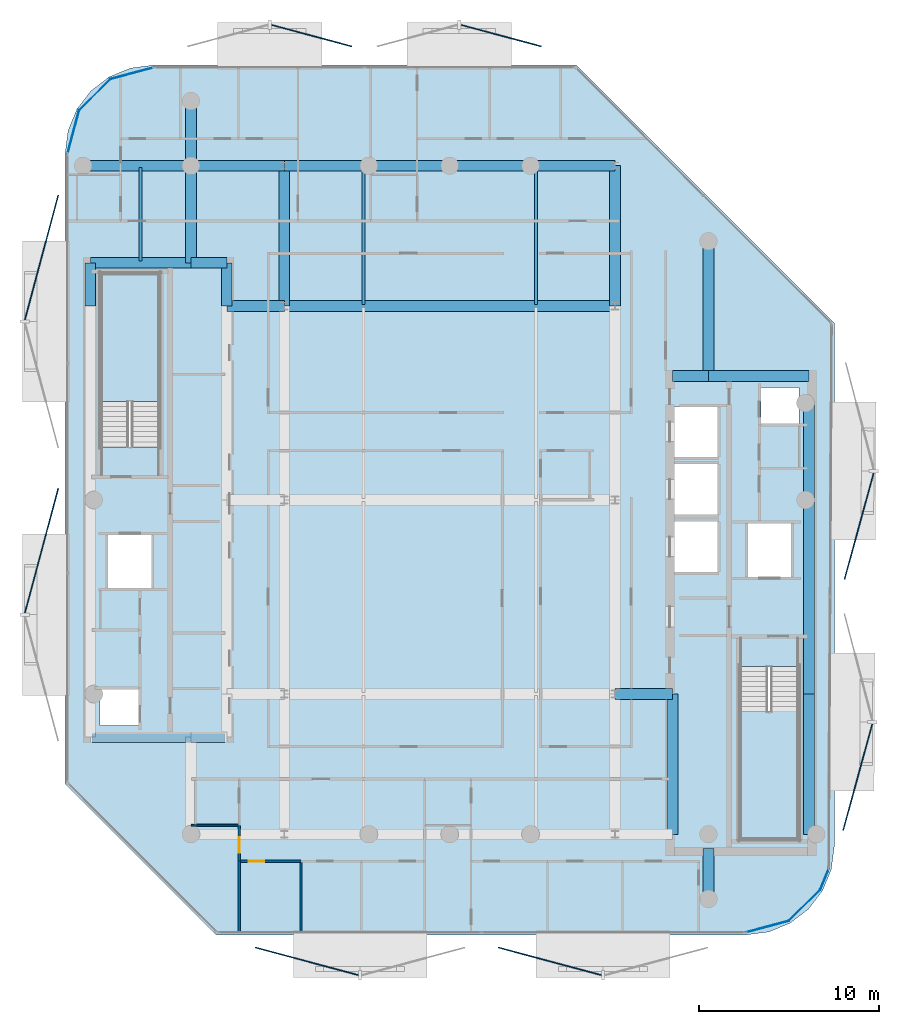
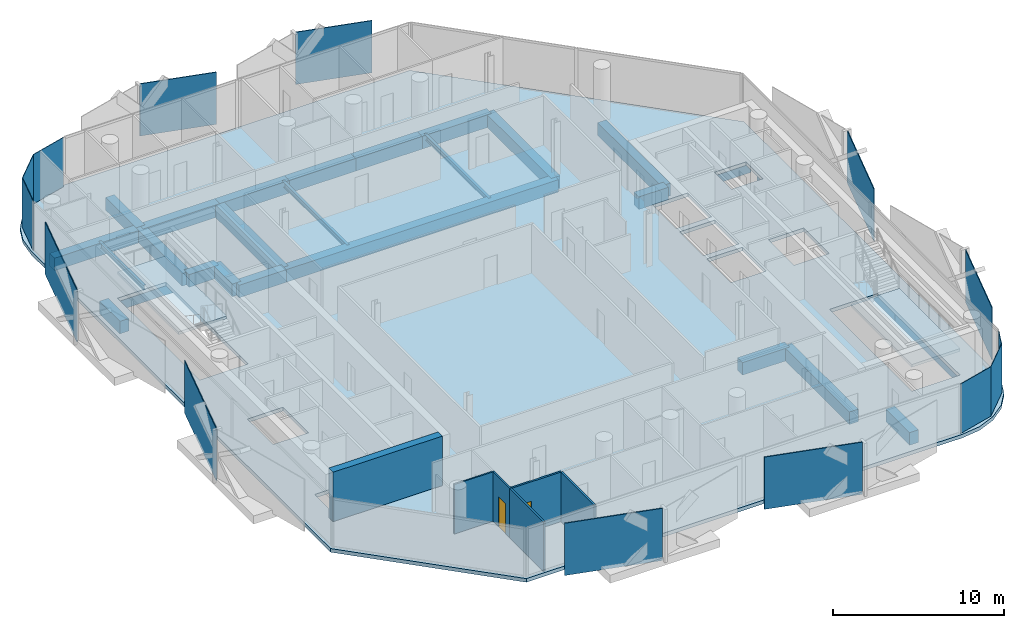
# One storey, part 3 of 17: 28 beams, 14 plates, 6 walls, 3 slabs, 2 doors, 2 openings, 2 elements without a shape of their own.
"""IFC4 building model written with IfcOpenShell, lengths in metres."""

from ifc_helpers import new_model, si_unit, direction, frame, frame_2d, origin, origin_2d, place, context, subcontext, project, spatial, polyline, rectangle, i_section, outline, extrude, material, layer, layer_set, material_profile, profile_set, type_object, element, fill, aggregate, save


model = new_model("IFC4")

# Units and contexts
model_context = context("Model", 3, precision=1e-05, world=origin(), true_north=direction((0.0, 1.0)))
body_context = subcontext(model_context, "Body", "Model", "MODEL_VIEW")
ifc_project = project(units=[si_unit("LENGTHUNIT", "METRE"), si_unit("AREAUNIT", "SQUARE_METRE"), si_unit("VOLUMEUNIT", "CUBIC_METRE"), si_unit("PLANEANGLEUNIT", "RADIAN"), si_unit("MASSUNIT", "GRAM", prefix="KILO")], contexts=[model_context])

# Site, building, storey
site_placement = place(None, origin())
site = spatial("IfcSite", under=ifc_project, at=site_placement, CompositionType="ELEMENT")
building_placement = place(site_placement, origin())
building = spatial("IfcBuilding", under=site, at=building_placement, Name="Khairoan Windgate Tower", CompositionType="ELEMENT")
storey_placement = place(building_placement, frame((0.0, 0.0, 304.199951171875)))
storey = spatial("IfcBuildingStorey", under=building, at=storey_placement, Name="L73", CompositionType="ELEMENT", Elevation=304.199951171875)

# Beams
ifc_material_1 = material(Name="Concrete C50/60", Category="concrete")
ifc_material_profile_1 = material_profile(ifc_material_1, rectangle(XDim=0.60009765625, YDim=0.89990234375, at=origin_2d()))
ifc_profile_set_1 = profile_set([ifc_material_profile_1], Name="Concrete C50/60")
beam_type_1 = type_object("IfcBeamType", Name="Beam B-RC1 RC600x900", PredefinedType="BEAM", material=ifc_profile_set_1)
beam_1_placement = place(storey_placement, frame((9.199951171875, -10.800048828125, -0.7099609375), z_axis=(1.0, 0.0, 0.0), x_axis=(0.0, 1.0, 0.0)))
element("IfcBeam", 1, at=beam_1_placement, inside=storey, type_object=beam_type_1, Name="L73 E-W Primary Girder 11", PredefinedType="BEAM", context=body_context, shape_type="SweptSolid", body=[
    extrude(rectangle(XDim=0.60009765625, YDim=0.89990234375, at=origin_2d()), origin(), (0.0, 0.0, 1.0), 3.199951171875),
])
beam_2_placement = place(storey_placement, frame((12.39990234375, 6.89990234375, -0.7099609375), z_axis=(1.0, 0.0, 0.0), x_axis=(0.0, 1.0, 0.0)))
element("IfcBeam", 2, at=beam_2_placement, inside=storey, type_object=beam_type_1, Name="L73 E-W Primary Girder 14", PredefinedType="BEAM", context=body_context, shape_type="SweptSolid", body=[
    extrude(rectangle(XDim=0.60009765625, YDim=0.89990234375, at=origin_2d()), origin(), (0.0, 0.0, 1.0), 2.0),
])
beam_3_placement = place(storey_placement, frame((14.39990234375, 6.89990234375, -0.7099609375), z_axis=(1.0, 0.0, 0.0), x_axis=(0.0, 1.0, 0.0)))
element("IfcBeam", 3, at=beam_3_placement, inside=storey, type_object=beam_type_1, Name="L73 E-W Primary Girder 15", PredefinedType="BEAM", context=body_context, shape_type="SweptSolid", body=[
    extrude(rectangle(XDim=0.60009765625, YDim=0.89990234375, at=origin_2d()), origin(), (0.0, 0.0, 1.0), 5.60009765625),
])
beam_4_placement = place(storey_placement, frame((-12.39990234375, 10.800048828125, -0.7099609375), z_axis=(1.0, 0.0, 0.0), x_axis=(0.0, 1.0, 0.0)))
element("IfcBeam", 4, at=beam_4_placement, inside=storey, type_object=beam_type_1, Name="L73 E-W Primary Girder 16", PredefinedType="BEAM", context=body_context, shape_type="SweptSolid", body=[
    extrude(rectangle(XDim=0.60009765625, YDim=0.89990234375, at=origin_2d()), origin(), (0.0, 0.0, 1.0), 3.199951171875),
])
beam_5_placement = place(storey_placement, frame((-9.199951171875, 10.800048828125, -0.7099609375), z_axis=(1.0, 0.0, 0.0), x_axis=(0.0, 1.0, 0.0)))
element("IfcBeam", 5, at=beam_5_placement, inside=storey, type_object=beam_type_1, Name="L73 E-W Primary Girder 17", PredefinedType="BEAM", context=body_context, shape_type="SweptSolid", body=[
    extrude(rectangle(XDim=0.60009765625, YDim=0.89990234375, at=origin_2d()), origin(), (0.0, 0.0, 1.0), 18.39990234375),
])
beam_6_placement = place(storey_placement, frame((-20.0, 13.199951171875, -0.7099609375), z_axis=(1.0, 0.0, 0.0), x_axis=(0.0, 1.0, 0.0)))
element("IfcBeam", 6, at=beam_6_placement, inside=storey, type_object=beam_type_1, Name="L73 E-W Primary Girder 18", PredefinedType="BEAM", context=body_context, shape_type="SweptSolid", body=[
    extrude(rectangle(XDim=0.60009765625, YDim=0.89990234375, at=origin_2d()), origin(), (0.0, 0.0, 1.0), 5.60009765625),
])
beam_7_placement = place(storey_placement, frame((-14.39990234375, 13.199951171875, -0.7099609375), z_axis=(1.0, 0.0, 0.0), x_axis=(0.0, 1.0, 0.0)))
element("IfcBeam", 7, at=beam_7_placement, inside=storey, type_object=beam_type_1, Name="L73 E-W Primary Girder 19", PredefinedType="BEAM", context=body_context, shape_type="SweptSolid", body=[
    extrude(rectangle(XDim=0.60009765625, YDim=0.89990234375, at=origin_2d()), origin(), (0.0, 0.0, 1.0), 2.0),
])
beam_8_placement = place(storey_placement, frame((-20.39990234375, 18.60009765625, -0.7099609375), z_axis=(1.0, 0.0, 0.0), x_axis=(0.0, 1.0, 0.0)))
element("IfcBeam", 8, at=beam_8_placement, inside=storey, type_object=beam_type_1, Name="L73 E-W Primary Girder 20", PredefinedType="BEAM", context=body_context, shape_type="SweptSolid", body=[
    extrude(rectangle(XDim=0.60009765625, YDim=0.89990234375, at=origin_2d()), origin(), (0.0, 0.0, 1.0), 6.0),
])
beam_9_placement = place(storey_placement, frame((-14.39990234375, 18.60009765625, -0.7099609375), z_axis=(1.0, 0.0, 0.0), x_axis=(0.0, 1.0, 0.0)))
element("IfcBeam", 9, at=beam_9_placement, inside=storey, type_object=beam_type_1, Name="L73 E-W Primary Girder 21", PredefinedType="BEAM", context=body_context, shape_type="SweptSolid", body=[
    extrude(rectangle(XDim=0.60009765625, YDim=0.89990234375, at=origin_2d()), origin(), (0.0, 0.0, 1.0), 5.199951171875),
])
beam_10_placement = place(storey_placement, frame((-9.199951171875, 18.60009765625, -0.7099609375), z_axis=(1.0, 0.0, 0.0), x_axis=(0.0, 1.0, 0.0)))
element("IfcBeam", 10, at=beam_10_placement, inside=storey, type_object=beam_type_1, Name="L73 E-W Primary Girder 22", PredefinedType="BEAM", context=body_context, shape_type="SweptSolid", body=[
    extrude(rectangle(XDim=0.60009765625, YDim=0.89990234375, at=origin_2d()), origin(), (0.0, 0.0, 1.0), 4.699951171875),
])
for number, where, z_axis, x_axis, name in (
    (11, (-4.5, 18.60009765625, -0.7099609375), (1.0, 0.0, 0.0), (0.0, 1.0, 0.0), "L73 E-W Primary Girder 23"),
    (12, (0.0, 18.60009765625, -0.7099609375), (1.0, 0.0, 0.0), (0.0, 1.0, 0.0), "L73 E-W Primary Girder 24"),
):
    element("IfcBeam", number, at=place(storey_placement, frame(where, z_axis=z_axis, x_axis=x_axis)), inside=storey, type_object=beam_type_1, Name=name, PredefinedType="BEAM", context=body_context, shape_type="SweptSolid", body=[
        extrude(rectangle(XDim=0.60009765625, YDim=0.89990234375, at=origin_2d()), origin(), (0.0, 0.0, 1.0), 4.5),
    ])
beam_11_placement = place(storey_placement, frame((4.5, 18.60009765625, -0.7099609375), z_axis=(1.0, 0.0, 0.0), x_axis=(0.0, 1.0, 0.0)))
element("IfcBeam", 13, at=beam_11_placement, inside=storey, type_object=beam_type_1, Name="L73 E-W Primary Girder 25", PredefinedType="BEAM", context=body_context, shape_type="SweptSolid", body=[
    extrude(rectangle(XDim=0.60009765625, YDim=0.89990234375, at=origin_2d()), origin(), (0.0, 0.0, 1.0), 4.699951171875),
])
beam_12_placement = place(storey_placement, frame((-20.0, 10.800048828125, -0.7099609375), z_axis=(0.0, 1.0, 0.0), x_axis=(-1.0, 0.0, 0.0)))
element("IfcBeam", 14, at=beam_12_placement, inside=storey, type_object=beam_type_1, Name="L73 N-S Primary Beam 29", PredefinedType="BEAM", context=body_context, shape_type="SweptSolid", body=[
    extrude(rectangle(XDim=0.60009765625, YDim=0.89990234375, at=origin_2d()), origin(), (0.0, 0.0, 1.0), 2.39990234375),
])
beam_13_placement = place(storey_placement, frame((-14.39990234375, 13.199951171875, -0.7099609375), z_axis=(0.0, 1.0, 0.0), x_axis=(-1.0, 0.0, 0.0)))
element("IfcBeam", 15, at=beam_13_placement, inside=storey, type_object=beam_type_1, Name="L73 N-S Primary Beam 31", PredefinedType="BEAM", context=body_context, shape_type="SweptSolid", body=[
    extrude(rectangle(XDim=0.60009765625, YDim=0.89990234375, at=origin_2d()), origin(), (0.0, 0.0, 1.0), 5.400146484375),
])
beam_14_placement = place(storey_placement, frame((-14.39990234375, 18.60009765625, -0.7099609375), z_axis=(0.0, 1.0, 0.0), x_axis=(-1.0, 0.0, 0.0)))
element("IfcBeam", 16, at=beam_14_placement, inside=storey, type_object=beam_type_1, Name="L73 N-S Primary Beam 32", PredefinedType="BEAM", context=body_context, shape_type="SweptSolid", body=[
    extrude(rectangle(XDim=0.60009765625, YDim=0.89990234375, at=origin_2d()), origin(), (0.0, 0.0, 1.0), 3.599853515625),
])
beam_15_placement = place(storey_placement, frame((-12.39990234375, 10.800048828125, -0.7099609375), z_axis=(0.0, 1.0, 0.0), x_axis=(-1.0, 0.0, 0.0)))
element("IfcBeam", 17, at=beam_15_placement, inside=storey, type_object=beam_type_1, Name="L73 N-S Primary Beam 36", PredefinedType="BEAM", context=body_context, shape_type="SweptSolid", body=[
    extrude(rectangle(XDim=0.60009765625, YDim=0.89990234375, at=origin_2d()), origin(), (0.0, 0.0, 1.0), 2.39990234375),
])
for number, where, z_axis, x_axis, name in (
    (18, (-9.199951171875, 10.800048828125, -0.7099609375), (0.0, 1.0, 0.0), (-1.0, 0.0, 0.0), "L73 N-S Primary Beam 40"),
    (19, (9.199951171875, 10.800048828125, -0.7099609375), (0.0, 1.0, 0.0), (-1.0, 0.0, 0.0), "L73 N-S Primary Beam 44"),
    (20, (12.39990234375, -18.60009765625, -0.7099609375), (0.0, 1.0, 0.0), (-1.0, 0.0, 0.0), "L73 N-S Primary Beam 45"),
):
    element("IfcBeam", number, at=place(storey_placement, frame(where, z_axis=z_axis, x_axis=x_axis)), inside=storey, type_object=beam_type_1, Name=name, PredefinedType="BEAM", context=body_context, shape_type="SweptSolid", body=[
        extrude(rectangle(XDim=0.60009765625, YDim=0.89990234375, at=origin_2d()), origin(), (0.0, 0.0, 1.0), 7.800048828125),
    ])
beam_16_placement = place(storey_placement, frame((14.39990234375, -22.199951171875, -0.7099609375), z_axis=(0.0, 1.0, 0.0), x_axis=(-1.0, 0.0, 0.0)))
element("IfcBeam", 21, at=beam_16_placement, inside=storey, type_object=beam_type_1, Name="L73 N-S Primary Beam 46", PredefinedType="BEAM", context=body_context, shape_type="SweptSolid", body=[
    extrude(rectangle(XDim=0.60009765625, YDim=0.89990234375, at=origin_2d()), origin(), (0.0, 0.0, 1.0), 2.800048828125),
])
beam_17_placement = place(storey_placement, frame((14.39990234375, 6.89990234375, -0.7099609375), z_axis=(0.0, 1.0, 0.0), x_axis=(-1.0, 0.0, 0.0)))
element("IfcBeam", 22, at=beam_17_placement, inside=storey, type_object=beam_type_1, Name="L73 N-S Primary Beam 47", PredefinedType="BEAM", context=body_context, shape_type="SweptSolid", body=[
    extrude(rectangle(XDim=0.60009765625, YDim=0.89990234375, at=origin_2d()), origin(), (0.0, 0.0, 1.0), 7.5),
])
beam_18_placement = place(storey_placement, frame((20.0, -18.60009765625, -0.7099609375), z_axis=(0.0, 1.0, 0.0), x_axis=(-1.0, 0.0, 0.0)))
element("IfcBeam", 23, at=beam_18_placement, inside=storey, type_object=beam_type_1, Name="L73 N-S Primary Beam 48", PredefinedType="BEAM", context=body_context, shape_type="SweptSolid", body=[
    extrude(rectangle(XDim=0.60009765625, YDim=0.89990234375, at=origin_2d()), origin(), (0.0, 0.0, 1.0), 7.800048828125),
])
beam_19_placement = place(storey_placement, frame((20.0, -10.800048828125, -0.7099609375), z_axis=(0.0, 1.0, 0.0), x_axis=(-1.0, 0.0, 0.0)))
element("IfcBeam", 24, at=beam_19_placement, inside=storey, type_object=beam_type_1, Name="L73 N-S Primary Beam 49", PredefinedType="BEAM", context=body_context, shape_type="SweptSolid", body=[
    extrude(rectangle(XDim=0.60009765625, YDim=0.89990234375, at=origin_2d()), origin(), (0.0, 0.0, 1.0), 10.800048828125),
])
beam_20_placement = place(storey_placement, frame((20.0, 0.0, -0.7099609375), z_axis=(0.0, 1.0, 0.0), x_axis=(-1.0, 0.0, 0.0)))
element("IfcBeam", 25, at=beam_20_placement, inside=storey, type_object=beam_type_1, Name="L73 N-S Primary Beam 50", PredefinedType="BEAM", context=body_context, shape_type="SweptSolid", body=[
    extrude(rectangle(XDim=0.60009765625, YDim=0.89990234375, at=origin_2d()), origin(), (0.0, 0.0, 1.0), 5.39990234375),
])
ifc_material_2 = material(Name="Steel S355", Category="steel")
ifc_material_profile_2 = material_profile(ifc_material_2, i_section(OverallWidth=0.175048828125, OverallDepth=0.35009765625, WebThickness=0.007080078125, FlangeThickness=0.010986328125, FilletRadius=0.013916015625, at=origin_2d()))
ifc_profile_set_2 = profile_set([ifc_material_profile_2], Name="Steel S355")
beam_type_2 = type_object("IfcBeamType", Name="Beam J-S5 H350x175x7x11", PredefinedType="JOIST", material=ifc_profile_set_2)
beam_21_placement = place(storey_placement, frame((-17.199951171875, 13.2900390625, -0.43505859375), z_axis=(0.0, 1.0, 0.0), x_axis=(-1.0, 0.0, 0.0)))
element("IfcBeam", 26, at=beam_21_placement, inside=storey, type_object=beam_type_2, Name="L73 Secondary Floor Joist 01", PredefinedType="JOIST", context=body_context, shape_type="SweptSolid", body=[
    extrude(i_section(OverallWidth=0.175048828125, OverallDepth=0.35009765625, WebThickness=0.007080078125, FlangeThickness=0.010986328125, FilletRadius=0.013916015625, at=origin_2d()), origin(), (0.0, 0.0, 1.0), 5.219970703125),
])
for number, where, z_axis, x_axis, name in (
    (27, (-4.800048828125, 10.889892578125, -0.43505859375), (0.0, 1.0, 0.0), (-1.0, 0.0, 0.0), "L73 Secondary Floor Joist 05"),
    (28, (4.800048828125, 10.889892578125, -0.43505859375), (0.0, 1.0, 0.0), (-1.0, 0.0, 0.0), "L73 Secondary Floor Joist 09"),
):
    element("IfcBeam", number, at=place(storey_placement, frame(where, z_axis=z_axis, x_axis=x_axis)), inside=storey, type_object=beam_type_2, Name=name, PredefinedType="JOIST", context=body_context, shape_type="SweptSolid", body=[
        extrude(i_section(OverallWidth=0.175048828125, OverallDepth=0.35009765625, WebThickness=0.007080078125, FlangeThickness=0.010986328125, FilletRadius=0.013916015625, at=origin_2d()), origin(), (0.0, 0.0, 1.0), 7.6201171875),
    ])

# Plates
ifc_material_3 = material(Name="Low-E Solar Control Laminated Glass", Category="glass")
ifc_layer_1 = layer(ifc_material_3, 0.030029296875, Name="Low-E Solar Control Laminated Glass")
ifc_layer_set_1 = layer_set([ifc_layer_1], Name="Low-E Solar Control Laminated Glass")
plate_type_1 = type_object("IfcPlateType", Name="Aerodynamic Wind-Corner Curved Glazing Plate", PredefinedType="USERDEFINED", material=ifc_layer_set_1)
plate_1_placement = place(storey_placement, frame((-20.940673828125, 20.485107421875, 0.0), z_axis=(0.0, 0.0, 1.0), x_axis=(0.258313252067, 0.966061211211, 0.0)))
element("IfcPlate", 29, at=plate_1_placement, inside=storey, type_object=plate_type_1, Name="L73 Aerodynamic Wind-Corner Curved Glazing Panel 4", ObjectType="GLAZING PANEL", PredefinedType="USERDEFINED", context=body_context, shape_type="SweptSolid", body=[
    extrude(rectangle(XDim=2.512451171875, YDim=0.035888671875, at=origin_2d()), origin(), (0.0, 0.0, 1.0), 3.5400390625),
])
plate_2_placement = place(storey_placement, frame((-19.750244140625, 22.55029296875, 0.0), z_axis=(0.0, 0.0, 1.0), x_axis=(0.707106781187, 0.707106781187, 0.0)))
element("IfcPlate", 30, at=plate_2_placement, inside=storey, type_object=plate_type_1, Name="L73 Aerodynamic Wind-Corner Curved Glazing Panel 5", ObjectType="GLAZING PANEL", PredefinedType="USERDEFINED", context=body_context, shape_type="SweptSolid", body=[
    extrude(rectangle(XDim=2.50341796875, YDim=0.035888671875, at=origin_2d()), origin(), (0.0, 0.0, 1.0), 3.5400390625),
])
plate_3_placement = place(storey_placement, frame((-17.68505859375, 23.740478515625, 0.0), z_axis=(0.0, 0.0, 1.0), x_axis=(0.966061211211, 0.258313252067, 0.0)))
element("IfcPlate", 31, at=plate_3_placement, inside=storey, type_object=plate_type_1, Name="L73 Aerodynamic Wind-Corner Curved Glazing Panel 6", ObjectType="GLAZING PANEL", PredefinedType="USERDEFINED", context=body_context, shape_type="SweptSolid", body=[
    extrude(rectangle(XDim=2.512451171875, YDim=0.035888671875, at=origin_2d()), origin(), (0.0, 0.0, 1.0), 3.5400390625),
])
plate_4_placement = place(storey_placement, frame((20.85888671875, -21.105712890625, 0.0), z_axis=(0.0, 0.0, 1.0), x_axis=(-0.382683432365, -0.923879532511, 0.0)))
element("IfcPlate", 32, at=plate_4_placement, inside=storey, type_object=plate_type_1, Name="L73 Aerodynamic Wind-Corner Curved Glazing Panel 10", ObjectType="GLAZING PANEL", PredefinedType="USERDEFINED", context=body_context, shape_type="SweptSolid", body=[
    extrude(rectangle(XDim=1.2822265625, YDim=0.035888671875, at=origin_2d()), origin(), (0.0, 0.0, 1.0), 3.5400390625),
])
plate_5_placement = place(storey_placement, frame((19.750244140625, -22.55029296875, 0.0), z_axis=(0.0, 0.0, 1.0), x_axis=(-0.707106781187, -0.707106781187, 0.0)))
element("IfcPlate", 33, at=plate_5_placement, inside=storey, type_object=plate_type_1, Name="L73 Aerodynamic Wind-Corner Curved Glazing Panel 11", ObjectType="GLAZING PANEL", PredefinedType="USERDEFINED", context=body_context, shape_type="SweptSolid", body=[
    extrude(rectangle(XDim=2.50341796875, YDim=0.035888671875, at=origin_2d()), origin(), (0.0, 0.0, 1.0), 3.5400390625),
])
plate_6_placement = place(storey_placement, frame((17.68505859375, -23.740478515625, 0.0), z_axis=(0.0, 0.0, 1.0), x_axis=(-0.966061211211, -0.258313252067, 0.0)))
element("IfcPlate", 34, at=plate_6_placement, inside=storey, type_object=plate_type_1, Name="L73 Aerodynamic Wind-Corner Curved Glazing Panel 12", ObjectType="GLAZING PANEL", PredefinedType="USERDEFINED", context=body_context, shape_type="SweptSolid", body=[
    extrude(rectangle(XDim=2.512451171875, YDim=0.035888671875, at=origin_2d()), origin(), (0.0, 0.0, 1.0), 3.5400390625),
])
ifc_material_4 = material(Name="Anodised Bronze Aluminium 6063-T6", Category="aluminium")
ifc_layer_2 = layer(ifc_material_4, 0.054931640625, Name="Anodised Bronze Aluminium 6063-T6")
ifc_layer_set_2 = layer_set([ifc_layer_2], Name="Anodised Bronze Aluminium 6063-T6")
plate_type_2 = type_object("IfcPlateType", Name="Perforated Bronze Solar Screen Upper Panel BSP-2", PredefinedType="USERDEFINED", material=ifc_layer_set_2)
for number, where, z_axis, x_axis, name in (
    (35, (5.5703125, -25.67041015625, -0.10009765625), (0.0, 0.0, 1.0), (-0.965925826289, 0.258819045103, 0.0), "L73 Perforated Bronze Solar Screen Panel 510R"),
    (36, (-7.946044921875, -25.67041015625, -0.10009765625), (0.0, 0.0, 1.0), (-0.965925826289, 0.258819045103, 0.0), "L73 Perforated Bronze Solar Screen Panel 511R"),
):
    element("IfcPlate", number, at=place(storey_placement, frame(where, z_axis=z_axis, x_axis=x_axis)), inside=storey, type_object=plate_type_2, Name=name, ObjectType="SCREEN", PredefinedType="USERDEFINED", context=body_context, shape_type="SweptSolid", body=[
        extrude(rectangle(XDim=5.947021484375, YDim=0.054931640625, at=origin_2d()), origin(), (0.0, 0.0, 1.0), 3.739990234375),
    ])
for number, where, z_axis, x_axis, name in (
    (37, (-22.7109375, -2.82666015625, -0.10009765625), (0.0, 0.0, 1.0), (0.258819045103, 0.965925826289, 0.0), "L73 Perforated Bronze Solar Screen Panel 512R"),
    (38, (-22.7109375, 13.48974609375, -0.10009765625), (0.0, 0.0, 1.0), (0.258819045103, 0.965925826289, 0.0), "L73 Perforated Bronze Solar Screen Panel 513R"),
):
    element("IfcPlate", number, at=place(storey_placement, frame(where, z_axis=z_axis, x_axis=x_axis)), inside=storey, type_object=plate_type_2, Name=name, ObjectType="SCREEN", PredefinedType="USERDEFINED", context=body_context, shape_type="SweptSolid", body=[
        extrude(rectangle(XDim=7.178955078125, YDim=0.054931640625, at=origin_2d()), origin(), (0.0, 0.0, 1.0), 3.739990234375),
    ])
for number, where, z_axis, x_axis, name in (
    (39, (-7.686767578125, 25.839599609375, -0.10009765625), (0.0, 0.0, 1.0), (0.965925826289, -0.258819045103, 0.0), "L73 Perforated Bronze Solar Screen Panel 514R"),
    (40, (2.859619140625, 25.839599609375, -0.10009765625), (0.0, 0.0, 1.0), (0.965925826289, -0.258819045103, 0.0), "L73 Perforated Bronze Solar Screen Panel 515R"),
):
    element("IfcPlate", number, at=place(storey_placement, frame(where, z_axis=z_axis, x_axis=x_axis)), inside=storey, type_object=plate_type_2, Name=name, ObjectType="SCREEN", PredefinedType="USERDEFINED", context=body_context, shape_type="SweptSolid", body=[
        extrude(rectangle(XDim=4.639892578125, YDim=0.054931640625, at=origin_2d()), origin(), (0.0, 0.0, 1.0), 3.739990234375),
    ])
for number, where, z_axis, x_axis, name in (
    (41, (22.7841796875, -1.4482421875, -0.10009765625), (0.0, 0.0, 1.0), (-0.264041392973, -0.964511349232, 0.0), "L73 Perforated Bronze Solar Screen Panel 516R"),
    (42, (22.708740234375, -15.4150390625, -0.10009765625), (0.0, 0.0, 1.0), (-0.264041392973, -0.964511349232, 0.0), "L73 Perforated Bronze Solar Screen Panel 517R"),
):
    element("IfcPlate", number, at=place(storey_placement, frame(where, z_axis=z_axis, x_axis=x_axis)), inside=storey, type_object=plate_type_2, Name=name, ObjectType="SCREEN", PredefinedType="USERDEFINED", context=body_context, shape_type="SweptSolid", body=[
        extrude(rectangle(XDim=6.14599609375, YDim=0.054931640625, at=origin_2d()), origin(), (0.0, 0.0, 1.0), 3.739990234375),
    ])

# Stair, slab
ifc_material_5 = material(Name="Concrete C40/50", Category="concrete")
stair_type = type_object("IfcStairType", Name="Tower Core Dog-Leg Stair ST-T1 1560mm", PredefinedType="HALF_TURN_STAIR", material=ifc_material_5)
stair_1_placement = place(storey_placement, origin())
stair_1 = element("IfcStair", 43, at=stair_1_placement, inside=storey, type_object=stair_type, Name="L73 Stair ST1", PredefinedType="HALF_TURN_STAIR")
ifc_material_6 = material(Name="Concrete C40/50", Category="concrete")
ifc_layer_3 = layer(ifc_material_6, 0.199951171875, Name="Concrete C40/50")
ifc_layer_set_3 = layer_set([ifc_layer_3], Name="Concrete C40/50")
slab_type_1 = type_object("IfcSlabType", Name="Reinforced Concrete Stair Landing Slab STL-200", PredefinedType="LANDING", material=ifc_layer_set_3)
slab_1_placement = place(storey_placement, frame((0.0, 0.0, 1.699951171875)))
slab_1 = element("IfcSlab", 44, at=slab_1_placement, type_object=slab_type_1, Name="ST1 landing 1", PredefinedType="LANDING", context=body_context, shape_type="SweptSolid", body=[
    extrude(outline(polyline([(16.14990234375, -11.780029296875), (16.14990234375, -18.89990234375), (19.419921875, -18.89990234375), (19.419921875, -11.780029296875), (16.14990234375, -11.780029296875)])), origin(), (0.0, 0.0, 1.0), 0.2001953125),
])
aggregate(stair_1, [slab_1])

stair_2_placement = place(storey_placement, origin())
stair_2 = element("IfcStair", 45, at=stair_2_placement, inside=storey, type_object=stair_type, Name="L73 Stair ST2", PredefinedType="HALF_TURN_STAIR")
slab_2_placement = place(storey_placement, frame((0.0, 0.0, 1.699951171875)))
slab_2 = element("IfcSlab", 46, at=slab_2_placement, type_object=slab_type_1, Name="ST2 landing 1", PredefinedType="LANDING", context=body_context, shape_type="SweptSolid", body=[
    extrude(outline(polyline([(-16.14990234375, 5.47998046875), (-16.14990234375, 12.60009765625), (-19.419921875, 12.60009765625), (-19.419921875, 5.47998046875), (-16.14990234375, 5.47998046875)])), origin(), (0.0, 0.0, 1.0), 0.2001953125),
])
aggregate(stair_2, [slab_2])

# Slab
ifc_material_7 = material(Name="Concrete C40/50", Category="concrete")
ifc_layer_4 = layer(ifc_material_7, 0.260009765625, Name="Concrete C40/50")
ifc_layer_set_4 = layer_set([ifc_layer_4], Name="Concrete C40/50")
slab_type_2 = type_object("IfcSlabType", Name="Tower Composite Floor Slab FS2 260mm", PredefinedType="FLOOR", material=ifc_layer_set_4)
slab_3_placement = place(storey_placement, frame((0.0, 0.0, -0.260009765625)))
element("IfcSlab", 47, at=slab_3_placement, inside=storey, type_object=slab_type_2, Name="L73 Structural Floor Slab", PredefinedType="FLOOR", context=body_context, shape_type="SweptSolid", body=[
    extrude(outline(polyline([(16.5, -24.199951171875), (17.768310546875, -24.032958984375), (18.949951171875, -23.54345703125), (19.96484375, -22.764892578125), (20.743408203125, -21.75), (21.23291015625, -20.568115234375), (21.39990234375, -19.300048828125), (21.39990234375, 9.860107421875), (7.06005859375, 24.199951171875), (-16.5, 24.199951171875), (-17.768310546875, 24.032958984375), (-18.949951171875, 23.54345703125), (-19.96484375, 22.764892578125), (-20.743408203125, 21.75), (-21.23291015625, 20.568115234375), (-21.39990234375, 19.300048828125), (-21.39990234375, -15.800048828125), (-13.0, -24.199951171875), (16.5, -24.199951171875)]), holes=[polyline([(16.14990234375, -9.260009765625), (16.14990234375, -18.89990234375), (19.419921875, -18.89990234375), (19.419921875, -9.260009765625), (16.14990234375, -9.260009765625)]), polyline([(-16.14990234375, 2.9599609375), (-16.14990234375, 12.60009765625), (-19.419921875, 12.60009765625), (-19.419921875, 2.9599609375), (-16.14990234375, 2.9599609375)]), polyline([(12.5, 2.39990234375), (14.89990234375, 2.39990234375), (14.89990234375, 5.199951171875), (12.5, 5.199951171875), (12.5, 2.39990234375)]), polyline([(12.5, -0.800048828125), (14.89990234375, -0.800048828125), (14.89990234375, 2.0), (12.5, 2.0), (12.5, -0.800048828125)]), polyline([(12.5, -4.0), (14.89990234375, -4.0), (14.89990234375, -1.199951171875), (12.5, -1.199951171875), (12.5, -4.0)]), polyline([(16.60009765625, -4.300048828125), (19.0, -4.300048828125), (19.0, -1.300048828125), (16.60009765625, -1.300048828125), (16.60009765625, -4.300048828125)]), polyline([(-19.0, -4.89990234375), (-16.60009765625, -4.89990234375), (-16.60009765625, -1.89990234375), (-19.0, -1.89990234375), (-19.0, -4.89990234375)]), polyline([(-19.449951171875, -12.550048828125), (-17.31005859375, -12.550048828125), (-17.31005859375, -10.550048828125), (-19.449951171875, -10.550048828125), (-19.449951171875, -12.550048828125)]), polyline([(17.31005859375, 4.25), (19.449951171875, 4.25), (19.449951171875, 6.25), (17.31005859375, 6.25), (17.31005859375, 4.25)])]), origin(), (0.0, 0.0, 1.0), 0.260009765625),
])

# Wall
ifc_material_8 = material(Name="Moisture-Resistant Gypsum Partition", Category="gypsum")
ifc_layer_5 = layer(ifc_material_8, 0.10009765625, Name="Moisture-Resistant Gypsum Partition")
ifc_layer_set_5 = layer_set([ifc_layer_5], Name="Moisture-Resistant Gypsum Partition")
wall_type_1 = type_object("IfcWallType", Name="Bathroom Wet-Area Partition Wall", PredefinedType="PARTITIONING", material=ifc_layer_set_5)
wall_1_placement = place(storey_placement, frame((-14.3798828125, -18.10009765625, 0.0), z_axis=(0.0, 0.0, 1.0), x_axis=(1.0, 0.0, 0.0)))
element("IfcWall", 48, at=wall_1_placement, inside=storey, type_object=wall_type_1, Name="L73 Interior Partition 060", PredefinedType="PARTITIONING", context=body_context, shape_type="SweptSolid", body=[
    extrude(rectangle(XDim=2.619873046875, YDim=0.10009765625, at=frame_2d((1.31005859375, 0.0))), origin(), (0.0, 0.0, 1.0), 3.5400390625),
])

# Wall, opening, door
ifc_material_9 = material(Name="Gypsum Stud Partition", Category="gypsum")
ifc_layer_6 = layer(ifc_material_9, 0.1201171875, Name="Gypsum Stud Partition")
ifc_layer_set_6 = layer_set([ifc_layer_6], Name="Gypsum Stud Partition")
wall_type_2 = type_object("IfcWallType", Name="Internal Room Partition Wall", PredefinedType="PARTITIONING", material=ifc_layer_set_6)
wall_2_placement = place(storey_placement, frame((-11.7099609375, -20.10009765625, 0.0), z_axis=(0.0, 0.0, 1.0), x_axis=(0.0, 1.0, 0.0)))
wall_2 = element("IfcWall", 49, at=wall_2_placement, inside=storey, type_object=wall_type_2, Name="L73 Interior Partition 062", PredefinedType="PARTITIONING", context=body_context, shape_type="SweptSolid", body=[
    extrude(rectangle(XDim=2.0, YDim=0.1201171875, at=frame_2d((1.0, 0.0))), origin(), (0.0, 0.0, 1.0), 3.5400390625),
])
opening_1_placement = place(wall_2_placement, frame((0.4599609375, 0.0, 0.0)))
opening_1 = element("IfcOpeningElement", 50, at=opening_1_placement, cuts=wall_2, Name="Opening ID-RM", PredefinedType="OPENING", context=body_context, shape_type="SweptSolid", body=[
    extrude(rectangle(XDim=0.860107421875, YDim=2.14990234375, at=frame_2d((0.43017578125, 1.074951171875))), frame((0.0, 0.070068359375, 0.0), z_axis=(0.0, -1.0, 0.0), x_axis=(1.0, 0.0, 0.0)), (0.0, 0.0, 1.0), 0.14013671875),
])
ifc_material_10 = material(Name="Teak Veneer Timber Leaf", Category="wood")
door_type = type_object("IfcDoorType", Name="Internal Bedroom and Office Door ID-RM 860x2150", OperationType="NOTDEFINED", PredefinedType="DOOR", material=ifc_material_10)
door_1_placement = place(opening_1_placement, origin())
door_1 = element("IfcDoor", 51, at=door_1_placement, inside=storey, type_object=door_type, Name="L73 L73-47-L73-48 Door", OperationType="SINGLE_SWING_RIGHT", OverallHeight=2.14990234375, OverallWidth=0.860107421875, PredefinedType="DOOR", context=body_context, shape_type="SweptSolid", body=[
    extrude(rectangle(XDim=0.860107421875, YDim=2.14990234375, at=frame_2d((0.43017578125, 1.074951171875))), frame((0.0, 0.02490234375, 0.0), z_axis=(0.0, -1.0, 0.0), x_axis=(1.0, 0.0, 0.0)), (0.0, 0.0, 1.0), 0.050048828125),
])
fill(opening_1, door_1)

# Wall
wall_3_placement = place(storey_placement, frame((-11.7099609375, -24.054931640625, 0.0), z_axis=(0.0, 0.0, 1.0), x_axis=(0.0, 1.0, 0.0)))
element("IfcWall", 52, at=wall_3_placement, inside=storey, type_object=wall_type_2, Name="L73 Interior Partition 063", PredefinedType="PARTITIONING", context=body_context, shape_type="SweptSolid", body=[
    extrude(rectangle(XDim=3.954833984375, YDim=0.1201171875, at=frame_2d((1.9775390625, 0.0))), origin(), (0.0, 0.0, 1.0), 3.5400390625),
])

# Wall, opening, door
wall_4_placement = place(storey_placement, frame((-11.64990234375, -20.10009765625, 0.0), z_axis=(0.0, 0.0, 1.0), x_axis=(1.0, 0.0, 0.0)))
wall_4 = element("IfcWall", 53, at=wall_4_placement, inside=storey, type_object=wall_type_2, Name="L73 Interior Partition 064", PredefinedType="PARTITIONING", context=body_context, shape_type="SweptSolid", body=[
    extrude(rectangle(XDim=3.376953125, YDim=0.1201171875, at=frame_2d((1.6884765625, 0.0))), origin(), (0.0, 0.0, 1.0), 3.5400390625),
])
opening_2_placement = place(wall_4_placement, frame((0.4599609375, 0.0, 0.0)))
opening_2 = element("IfcOpeningElement", 54, at=opening_2_placement, cuts=wall_4, Name="Opening ID-RM", PredefinedType="OPENING", context=body_context, shape_type="SweptSolid", body=[
    extrude(rectangle(XDim=0.860107421875, YDim=2.14990234375, at=frame_2d((0.43017578125, 1.074951171875))), frame((0.0, 0.070068359375, 0.0), z_axis=(0.0, -1.0, 0.0), x_axis=(1.0, 0.0, 0.0)), (0.0, 0.0, 1.0), 0.14013671875),
])
door_2_placement = place(opening_2_placement, origin())
door_2 = element("IfcDoor", 55, at=door_2_placement, inside=storey, type_object=door_type, Name="L73 L73-48-L73-49 Door", OperationType="SINGLE_SWING_LEFT", OverallHeight=2.14990234375, OverallWidth=0.860107421875, PredefinedType="DOOR", context=body_context, shape_type="SweptSolid", body=[
    extrude(rectangle(XDim=0.860107421875, YDim=2.14990234375, at=frame_2d((0.43017578125, 1.074951171875))), frame((0.0, 0.02490234375, 0.0), z_axis=(0.0, -1.0, 0.0), x_axis=(1.0, 0.0, 0.0)), (0.0, 0.0, 1.0), 0.050048828125),
])
fill(opening_2, door_2)

# Walls
wall_5_placement = place(storey_placement, frame((-8.27294921875, -24.054931640625, 0.0), z_axis=(0.0, 0.0, 1.0), x_axis=(0.0, 1.0, 0.0)))
element("IfcWall", 56, at=wall_5_placement, inside=storey, type_object=wall_type_2, Name="L73 Interior Partition 069", PredefinedType="PARTITIONING", context=body_context, shape_type="SweptSolid", body=[
    extrude(rectangle(XDim=3.89501953125, YDim=0.1201171875, at=frame_2d((1.947509765625, 0.0))), origin(), (0.0, 0.0, 1.0), 3.5400390625),
])
ifc_material_11 = material(Name="Concrete C50/60", Category="concrete")
ifc_layer_7 = layer(ifc_material_11, 0.5, Name="Concrete C50/60")
ifc_layer_set_7 = layer_set([ifc_layer_7], Name="Concrete C50/60")
wall_type_3 = type_object("IfcWallType", Name="Shear Wall CW-W3 500mm", PredefinedType="SHEAR", material=ifc_layer_set_7)
wall_6_placement = place(storey_placement, frame((-19.89990234375, -13.25, 0.0), z_axis=(0.0, 0.0, 1.0), x_axis=(1.0, 0.0, 0.0)))
element("IfcWall", 57, at=wall_6_placement, inside=storey, type_object=wall_type_3, Name="W Core South Shear Wall L73", PredefinedType="SHEAR", context=body_context, shape_type="SweptSolid", body=[
    extrude(rectangle(XDim=7.39990234375, YDim=0.5, at=frame_2d((3.699951171875, 0.0))), origin(), (0.0, 0.0, 1.0), 3.5400390625),
])

save(model, "model.ifc")
